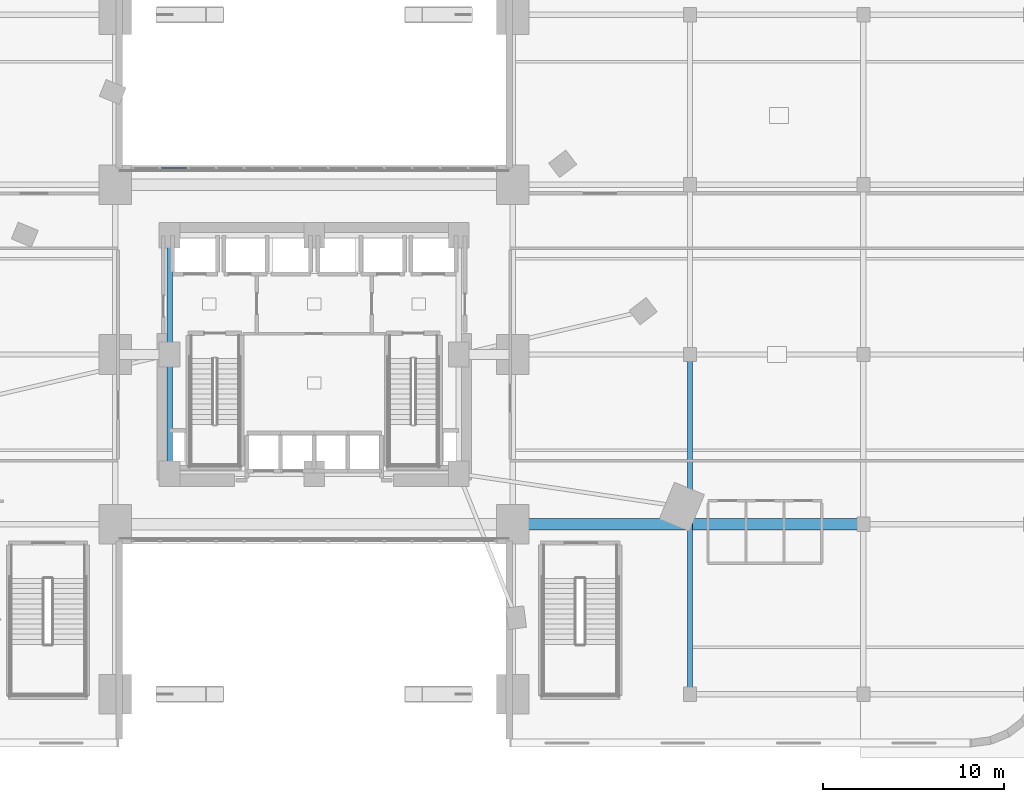
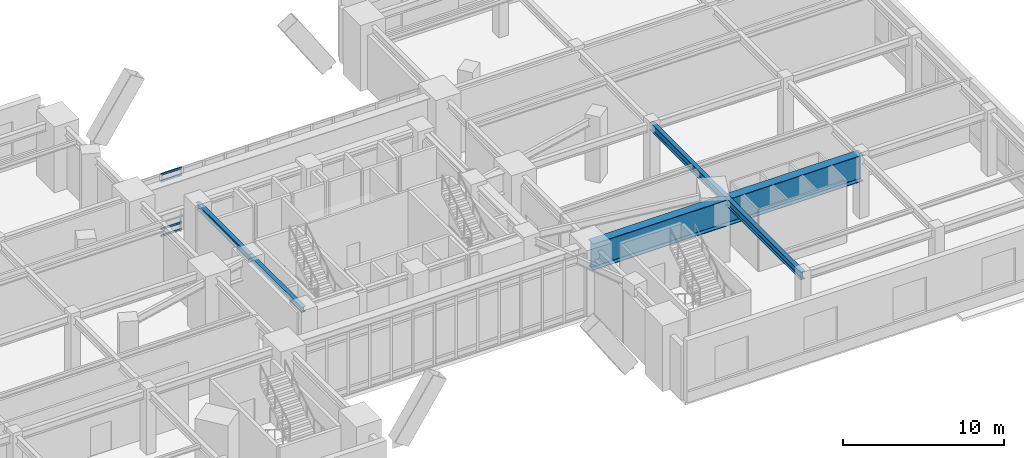
# One storey, part 9 of 26: 4 beams, 4 members, 1 element without a shape of its own.
"""IFC4 building model written with IfcOpenShell, lengths in metres."""

from ifc_helpers import new_model, si_unit, direction, frame, origin, origin_2d, place, context, subcontext, project, spatial, hollow_rectangle, i_section, extrude, material, layer, layer_set, material_profile, profile_set, type_object, element, aggregate, save


model = new_model("IFC4")

# Units and contexts
model_context = context("Model", 3, precision=1e-05, world=origin(), true_north=direction((0.0, 1.0)))
body_context = subcontext(model_context, "Body", "Model", "MODEL_VIEW")
ifc_project = project(units=[si_unit("LENGTHUNIT", "METRE"), si_unit("AREAUNIT", "SQUARE_METRE"), si_unit("VOLUMEUNIT", "CUBIC_METRE"), si_unit("PLANEANGLEUNIT", "RADIAN"), si_unit("MASSUNIT", "GRAM", prefix="KILO")], contexts=[model_context])

# Site, building, storey
site_placement = place(None, origin())
site = spatial("IfcSite", under=ifc_project, at=site_placement, CompositionType="ELEMENT")
building_placement = place(site_placement, origin())
building = spatial("IfcBuilding", under=site, at=building_placement, Name="Ndelora Gate Hotel", CompositionType="ELEMENT")
storey_placement = place(building_placement, frame((0.0, 0.0, 6.0)))
storey = spatial("IfcBuildingStorey", under=building, at=storey_placement, Name="L01", CompositionType="ELEMENT", Elevation=6.0)

# Beams
ifc_material_1 = material(Name="Steel S355", Category="steel")
ifc_material_profile_1 = material_profile(ifc_material_1, i_section(OverallWidth=0.300048828125, OverallDepth=0.39990234375, WebThickness=0.013427734375, FlangeThickness=0.02392578125, FilletRadius=0.027099609375, at=origin_2d()), Name="HEB 400")
ifc_profile_set_1 = profile_set([ifc_material_profile_1], Name="Steel S355")
beam_type_1 = type_object("IfcBeamType", Name="BM-CORE-400", PredefinedType="BEAM", material=ifc_profile_set_1)
for number, where, z_axis, x_axis, name in (
    (1, (-8.0, -6.60009765625, 4.52001953125), (0.0, 1.0, 0.0), (-1.0, 0.0, 0.0), "L01 Core Tie Girder CC1-CC8"),
    (2, (-8.0, 0.0, 4.52001953125), (0.0, 1.0, 0.0), (-1.0, 0.0, 0.0), "L01 Core Tie Girder CC8-CC7"),
):
    element("IfcBeam", number, at=place(storey_placement, frame(where, z_axis=z_axis, x_axis=x_axis)), inside=storey, type_object=beam_type_1, Name=name, PredefinedType="BEAM", context=body_context, shape_type="SweptSolid", body=[
        extrude(i_section(OverallWidth=0.300048828125, OverallDepth=0.39990234375, WebThickness=0.013427734375, FlangeThickness=0.02392578125, FilletRadius=0.027099609375, at=origin_2d()), origin(), (0.0, 0.0, 1.0), 6.60009765625),
    ])
ifc_material_profile_2 = material_profile(ifc_material_1, i_section(OverallWidth=0.300048828125, OverallDepth=0.60009765625, WebThickness=0.015380859375, FlangeThickness=0.030029296875, FilletRadius=0.027099609375, at=origin_2d()), Name="HEB 600")
ifc_profile_set_2 = profile_set([ifc_material_profile_2], Name="Steel S355")
beam_type_2 = type_object("IfcBeamType", Name="BM-POD-600", PredefinedType="BEAM", material=ifc_profile_set_2)
beam_1_placement = place(storey_placement, frame((20.800048828125, -18.800048828125, 4.419921875), z_axis=(0.0, 1.0, 0.0), x_axis=(-1.0, 0.0, 0.0)))
element("IfcBeam", 3, at=beam_1_placement, inside=storey, type_object=beam_type_2, Name="L01 Podium Longitudinal Girder X=+20.8", PredefinedType="BEAM", context=body_context, shape_type="SweptSolid", body=[
    extrude(i_section(OverallWidth=0.300048828125, OverallDepth=0.60009765625, WebThickness=0.015380859375, FlangeThickness=0.030029296875, FilletRadius=0.027099609375, at=origin_2d()), origin(), (0.0, 0.0, 1.0), 18.800048828125),
])
ifc_material_2 = material(Name="Steel S460", Category="steel")
ifc_material_profile_3 = material_profile(ifc_material_2, i_section(OverallWidth=0.6201171875, OverallDepth=2.0, WebThickness=0.028076171875, FlangeThickness=0.0400390625, FilletRadius=0.02392578125, at=origin_2d()), Name="PG 2000x620x40")
ifc_profile_set_3 = profile_set([ifc_material_profile_3], Name="Steel S460")
beam_type_3 = type_object("IfcBeamType", Name="BM-TR-2000", PredefinedType="BEAM", material=ifc_profile_set_3)
beam_2_placement = place(storey_placement, frame((11.0, -9.39990234375, 3.719970703125), z_axis=(1.0, 0.0, 0.0), x_axis=(0.0, 1.0, 0.0)))
element("IfcBeam", 4, at=beam_2_placement, inside=storey, type_object=beam_type_3, Name="L01 Podium Transverse Girder Y=-9.4", PredefinedType="BEAM", context=body_context, shape_type="SweptSolid", body=[
    extrude(i_section(OverallWidth=0.6201171875, OverallDepth=2.0, WebThickness=0.028076171875, FlangeThickness=0.0400390625, FilletRadius=0.02392578125, at=origin_2d()), origin(), (0.0, 0.0, 1.0), 19.39990234375),
])

# Curtain wall, members
ifc_material_3 = material(Name="Bronze Anodised Unitised Aluminium and Low-E Glass", Category="aluminium")
ifc_layer = layer(ifc_material_3, 0.239990234375)
ifc_layer_set = layer_set([ifc_layer], Name="Bronze Anodised Unitised Aluminium and Low-E Glass")
curtain_wall_type = type_object("IfcCurtainWallType", Name="CW-SYS-1", PredefinedType="NOTDEFINED", material=ifc_layer_set)
curtain_wall_placement = place(storey_placement, origin())
curtain_wall = element("IfcCurtainWall", 5, at=curtain_wall_placement, inside=storey, type_object=curtain_wall_type, Name="L01 North Portal Arch Concourse Curtain Wall CW1", PredefinedType="NOTDEFINED")
ifc_material_4 = material(Name="Bronze Anodised Aluminium 6063-T6", Category="aluminium")
ifc_material_profile_4 = material_profile(ifc_material_4, hollow_rectangle(XDim=0.06494140625, YDim=0.159912109375, WallThickness=0.00390625, InnerFilletRadius=0.00390625, OuterFilletRadius=0.008056640625, at=origin_2d()), Name="ALU 160x65x4")
ifc_profile_set_4 = profile_set([ifc_material_profile_4], Name="Bronze Anodised Aluminium 6063-T6")
member_type = type_object("IfcMemberType", Name="MB-CW-TRN150", PredefinedType="USERDEFINED", material=ifc_profile_set_4)
member_1_placement = place(storey_placement, frame((-7.007568359375, 10.320068359375, 0.032470703125), z_axis=(-1.0, 0.0, 0.0), x_axis=(0.0, -1.0, 0.0)))
member_1 = element("IfcMember", 6, at=member_1_placement, type_object=member_type, Name="CW1 transom 12.1", ObjectType="TRANSOM", PredefinedType="USERDEFINED", context=body_context, shape_type="SweptSolid", body=[
    extrude(hollow_rectangle(XDim=0.06494140625, YDim=0.159912109375, WallThickness=0.00390625, InnerFilletRadius=0.00390625, OuterFilletRadius=0.008056640625, at=origin_2d()), origin(), (0.0, 0.0, 1.0), 1.49267578125),
])
member_2_placement = place(storey_placement, frame((-7.007568359375, 10.320068359375, 0.550048828125), z_axis=(-1.0, 0.0, 0.0), x_axis=(0.0, -1.0, 0.0)))
member_2 = element("IfcMember", 7, at=member_2_placement, type_object=member_type, Name="CW1 transom 12.2", ObjectType="TRANSOM", PredefinedType="USERDEFINED", context=body_context, shape_type="SweptSolid", body=[
    extrude(hollow_rectangle(XDim=0.06494140625, YDim=0.159912109375, WallThickness=0.00390625, InnerFilletRadius=0.00390625, OuterFilletRadius=0.008056640625, at=origin_2d()), origin(), (0.0, 0.0, 1.0), 1.49267578125),
])
member_3_placement = place(storey_placement, frame((-7.007568359375, 10.320068359375, 4.169921875), z_axis=(-1.0, 0.0, 0.0), x_axis=(0.0, -1.0, 0.0)))
member_3 = element("IfcMember", 8, at=member_3_placement, type_object=member_type, Name="CW1 transom 12.3", ObjectType="TRANSOM", PredefinedType="USERDEFINED", context=body_context, shape_type="SweptSolid", body=[
    extrude(hollow_rectangle(XDim=0.06494140625, YDim=0.159912109375, WallThickness=0.00390625, InnerFilletRadius=0.00390625, OuterFilletRadius=0.008056640625, at=origin_2d()), origin(), (0.0, 0.0, 1.0), 1.49267578125),
])
member_4_placement = place(storey_placement, frame((-7.007568359375, 10.320068359375, 4.6875), z_axis=(-1.0, 0.0, 0.0), x_axis=(0.0, -1.0, 0.0)))
member_4 = element("IfcMember", 9, at=member_4_placement, type_object=member_type, Name="CW1 transom 12.4", ObjectType="TRANSOM", PredefinedType="USERDEFINED", context=body_context, shape_type="SweptSolid", body=[
    extrude(hollow_rectangle(XDim=0.06494140625, YDim=0.159912109375, WallThickness=0.00390625, InnerFilletRadius=0.00390625, OuterFilletRadius=0.008056640625, at=origin_2d()), origin(), (0.0, 0.0, 1.0), 1.49267578125),
])
aggregate(curtain_wall, [member_1, member_2, member_3, member_4])

save(model, "model.ifc")
